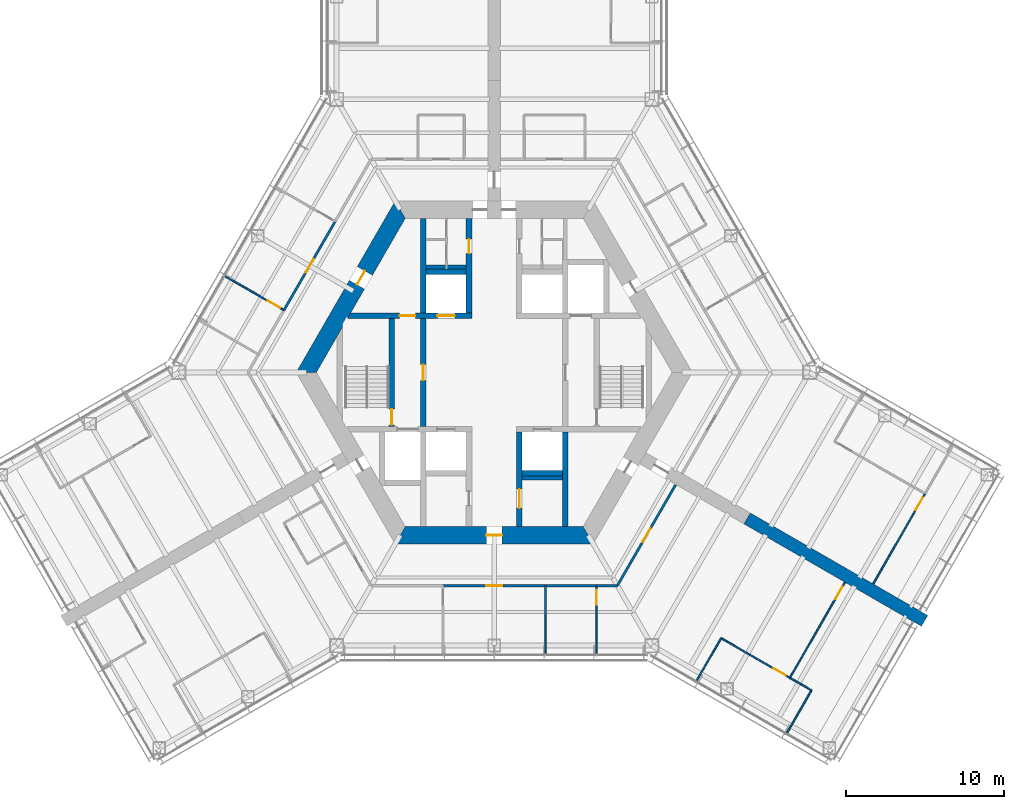
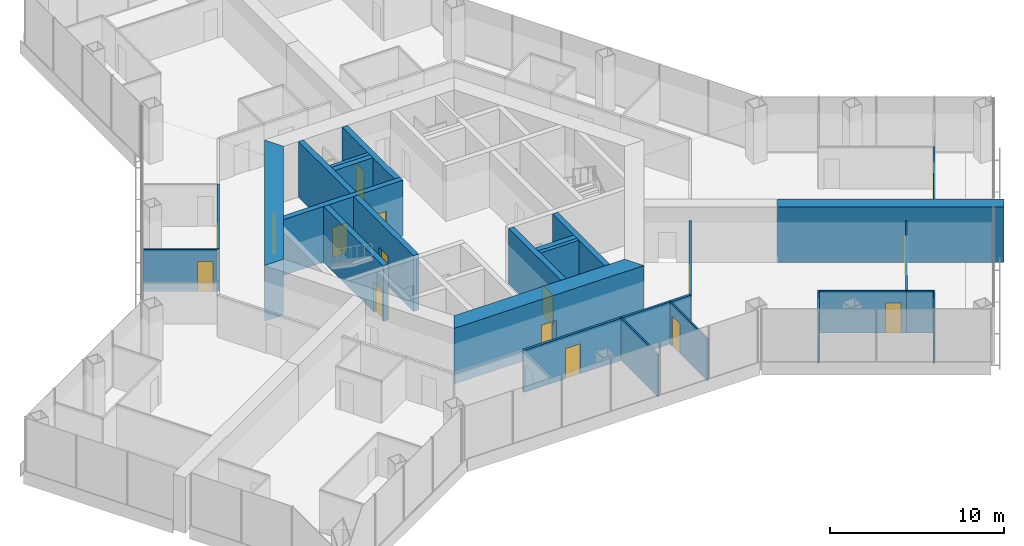
# One storey, part 13 of 18: 28 walls, 16 doors, 16 openings.
"""IFC4 building model written with IfcOpenShell, lengths in metres."""

from ifc_helpers import new_model, si_unit, direction, frame, frame_2d, origin, place, context, subcontext, project, spatial, polyline, rectangle, outline, extrude, material, layer, layer_set, type_object, element, fill, save


model = new_model("IFC4")

# Units and contexts
model_context = context("Model", 3, precision=1e-05, world=origin(), true_north=direction((0.0, 1.0)))
body_context = subcontext(model_context, "Body", "Model", "MODEL_VIEW")
ifc_project = project(units=[si_unit("LENGTHUNIT", "METRE"), si_unit("AREAUNIT", "SQUARE_METRE"), si_unit("VOLUMEUNIT", "CUBIC_METRE"), si_unit("PLANEANGLEUNIT", "RADIAN"), si_unit("MASSUNIT", "GRAM", prefix="KILO")], contexts=[model_context])

# Site, building, storey
site_placement = place(None, origin())
site = spatial("IfcSite", under=ifc_project, at=site_placement, CompositionType="ELEMENT")
building_placement = place(site_placement, origin())
building = spatial("IfcBuilding", under=site, at=building_placement, Name="Kasaneha Research Tower", CompositionType="ELEMENT")
storey_placement = place(building_placement, frame((0.0, 0.0, 115.800048828125)))
storey = spatial("IfcBuildingStorey", under=building, at=storey_placement, Name="L29", CompositionType="ELEMENT", Elevation=115.800048828125)

# Wall, openings, doors
ifc_material_1 = material(Name="Concrete Fc80", Category="concrete")
ifc_layer_1 = layer(ifc_material_1, 0.35009765625)
ifc_layer_set_1 = layer_set([ifc_layer_1], Name="Core internal wall 350 Fc80")
wall_type_1 = type_object("IfcWallType", Name="Core internal wall 350 Fc80", PredefinedType="SHEAR", material=ifc_layer_set_1)
wall_1_placement = place(storey_placement, frame((-9.208740234375, 3.60009765625, 0.0), z_axis=(0.0, 0.0, 1.0), x_axis=(1.0, 0.0, 0.0)))
wall_1 = element("IfcWall", 1, at=wall_1_placement, inside=storey, type_object=wall_type_1, Name="Core wall W1W L29", PredefinedType="SHEAR", context=body_context, shape_type="SweptSolid", body=[
    extrude(outline(polyline([(-0.10107421875, -0.175048828125), (3.208740234375, -0.175048828125), (4.208740234375, -0.175048828125), (5.608642578125, -0.175048828125), (6.708740234375, -0.175048828125), (7.78369140625, -0.175048828125), (7.78369140625, 0.175048828125), (6.708740234375, 0.175048828125), (5.608642578125, 0.175048828125), (4.208740234375, 0.175048828125), (3.208740234375, 0.175048828125), (0.10107421875, 0.175048828125), (-0.10107421875, -0.175048828125)])), origin(), (0.0, 0.0, 1.0), 3.89990234375),
])
opening_1_placement = place(wall_1_placement, frame((3.208740234375, 0.0, 0.0)))
opening_1 = element("IfcOpeningElement", 2, at=opening_1_placement, cuts=wall_1, Name="Opening L29-D12", PredefinedType="OPENING", context=body_context, shape_type="SweptSolid", body=[
    extrude(rectangle(XDim=1.0, YDim=2.10009765625, at=frame_2d((0.5, 1.050048828125))), frame((0.0, 0.18505859375, 0.0), z_axis=(0.0, -1.0, 0.0), x_axis=(1.0, 0.0, 0.0)), (0.0, 0.0, 1.0), 0.3701171875),
])
opening_2_placement = place(wall_1_placement, frame((5.608642578125, 0.0, 0.0)))
opening_2 = element("IfcOpeningElement", 3, at=opening_2_placement, cuts=wall_1, Name="Opening LD-LO1-L29", PredefinedType="OPENING", context=body_context, shape_type="SweptSolid", body=[
    extrude(rectangle(XDim=1.10009765625, YDim=2.10009765625, at=frame_2d((0.550048828125, 1.050048828125))), frame((0.0, 0.18505859375, 0.0), z_axis=(0.0, -1.0, 0.0), x_axis=(1.0, 0.0, 0.0)), (0.0, 0.0, 1.0), 0.3701171875),
])
ifc_material_2 = material(Name="Steel", Category="steel")
door_type_1 = type_object("IfcDoorType", Name="Lift landing door 1100x2100", OperationType="DOUBLE_DOOR_SLIDING", PredefinedType="DOOR", material=ifc_material_2)
door_1_placement = place(opening_2_placement, origin())
door_1 = element("IfcDoor", 4, at=door_1_placement, inside=storey, type_object=door_type_1, Name="Landing door LO1 LD-LO1-L29", OperationType="DOUBLE_DOOR_SLIDING", OverallHeight=2.10009765625, OverallWidth=1.10009765625, PredefinedType="DOOR", context=body_context, shape_type="SweptSolid", body=[
    extrude(rectangle(XDim=1.10009765625, YDim=2.10009765625, at=frame_2d((0.550048828125, 1.050048828125))), frame((0.0, 0.02490234375, 0.0), z_axis=(0.0, -1.0, 0.0), x_axis=(1.0, 0.0, 0.0)), (0.0, 0.0, 1.0), 0.050048828125),
])
fill(opening_2, door_1)
ifc_material_3 = material(Name="Steel", Category="steel")
door_type_2 = type_object("IfcDoorType", Name="Specified fire door FD60 1000x2100", OperationType="NOTDEFINED", PredefinedType="DOOR", material=ifc_material_3)
door_2_placement = place(opening_1_placement, origin())
door_2 = element("IfcDoor", 5, at=door_2_placement, inside=storey, type_object=door_type_2, Name="Vestibule to lobby door L29-D12", OperationType="SINGLE_SWING_RIGHT", OverallHeight=2.10009765625, OverallWidth=1.0, PredefinedType="DOOR", context=body_context, shape_type="SweptSolid", body=[
    extrude(rectangle(XDim=1.0, YDim=2.10009765625, at=frame_2d((0.5, 1.050048828125))), frame((0.0, 0.02490234375, 0.0), z_axis=(0.0, -1.0, 0.0), x_axis=(1.0, 0.0, 0.0)), (0.0, 0.0, 1.0), 0.050048828125),
])
fill(opening_1, door_2)

# Wall, opening, door
wall_2_placement = place(storey_placement, frame((-1.60009765625, 3.77490234375, 0.0), z_axis=(0.0, 0.0, 1.0), x_axis=(0.0, 1.0, 0.0)))
wall_2 = element("IfcWall", 6, at=wall_2_placement, inside=storey, type_object=wall_type_1, Name="Core wall CNW L29", PredefinedType="SHEAR", context=body_context, shape_type="SweptSolid", body=[
    extrude(rectangle(XDim=6.0, YDim=0.35009765625, at=frame_2d((3.0, 0.0))), origin(), (0.0, 0.0, 1.0), 3.89990234375),
])
opening_3_placement = place(wall_2_placement, frame((3.77490234375, 0.0, 0.0)))
opening_3 = element("IfcOpeningElement", 7, at=opening_3_placement, cuts=wall_2, Name="Opening L29-D13", PredefinedType="OPENING", context=body_context, shape_type="SweptSolid", body=[
    extrude(rectangle(XDim=0.89990234375, YDim=2.10009765625, at=frame_2d((0.449951171875, 1.050048828125))), frame((0.0, 0.18505859375, 0.0), z_axis=(0.0, -1.0, 0.0), x_axis=(1.0, 0.0, 0.0)), (0.0, 0.0, 1.0), 0.3701171875),
])
ifc_material_4 = material(Name="Steel", Category="steel")
door_type_3 = type_object("IfcDoorType", Name="Toilet door FD20 900x2100", OperationType="NOTDEFINED", PredefinedType="DOOR", material=ifc_material_4)
door_3_placement = place(opening_3_placement, origin())
door_3 = element("IfcDoor", 8, at=door_3_placement, inside=storey, type_object=door_type_3, Name="Men's WC door L29-D13", OperationType="SINGLE_SWING_LEFT", OverallHeight=2.10009765625, OverallWidth=0.89990234375, PredefinedType="DOOR", context=body_context, shape_type="SweptSolid", body=[
    extrude(rectangle(XDim=0.89990234375, YDim=2.10009765625, at=frame_2d((0.449951171875, 1.050048828125))), frame((0.0, 0.02490234375, 0.0), z_axis=(0.0, -1.0, 0.0), x_axis=(1.0, 0.0, 0.0)), (0.0, 0.0, 1.0), 0.050048828125),
])
fill(opening_3, door_3)

wall_3_placement = place(storey_placement, frame((1.60009765625, -3.77490234375, 0.0), z_axis=(0.0, 0.0, 1.0), x_axis=(0.0, -1.0, 0.0)))
wall_3 = element("IfcWall", 9, at=wall_3_placement, inside=storey, type_object=wall_type_1, Name="Core wall CSE L29", PredefinedType="SHEAR", context=body_context, shape_type="SweptSolid", body=[
    extrude(rectangle(XDim=6.0, YDim=0.35009765625, at=frame_2d((3.0, 0.0))), origin(), (0.0, 0.0, 1.0), 3.89990234375),
])
opening_4_placement = place(wall_3_placement, frame((3.625, 0.0, 0.0)))
opening_4 = element("IfcOpeningElement", 10, at=opening_4_placement, cuts=wall_3, Name="Opening L29-D15", PredefinedType="OPENING", context=body_context, shape_type="SweptSolid", body=[
    extrude(rectangle(XDim=1.199951171875, YDim=2.10009765625, at=frame_2d((0.60009765625, 1.050048828125))), frame((0.0, 0.18505859375, 0.0), z_axis=(0.0, -1.0, 0.0), x_axis=(1.0, 0.0, 0.0)), (0.0, 0.0, 1.0), 0.3701171875),
])
ifc_material_5 = material(Name="Steel", Category="steel")
door_type_4 = type_object("IfcDoorType", Name="Accessible toilet sliding door FD20 1200x2100", OperationType="SLIDING_TO_LEFT", PredefinedType="DOOR", material=ifc_material_5)
door_4_placement = place(opening_4_placement, origin())
door_4 = element("IfcDoor", 11, at=door_4_placement, inside=storey, type_object=door_type_4, Name="Accessible WC door L29-D15", OperationType="SLIDING_TO_LEFT", OverallHeight=2.10009765625, OverallWidth=1.199951171875, PredefinedType="DOOR", context=body_context, shape_type="SweptSolid", body=[
    extrude(rectangle(XDim=1.199951171875, YDim=2.10009765625, at=frame_2d((0.60009765625, 1.050048828125))), frame((0.0, 0.02490234375, 0.0), z_axis=(0.0, -1.0, 0.0), x_axis=(1.0, 0.0, 0.0)), (0.0, 0.0, 1.0), 0.050048828125),
])
fill(opening_4, door_4)

wall_4_placement = place(storey_placement, frame((-4.5, -3.425048828125, 0.0), z_axis=(0.0, 0.0, 1.0), x_axis=(0.0, 1.0, 0.0)))
wall_4 = element("IfcWall", 12, at=wall_4_placement, inside=storey, type_object=wall_type_1, Name="Core wall LBW L29", PredefinedType="SHEAR", context=body_context, shape_type="SweptSolid", body=[
    extrude(rectangle(XDim=6.85009765625, YDim=0.35009765625, at=frame_2d((3.425048828125, 0.0))), origin(), (0.0, 0.0, 1.0), 3.89990234375),
])
opening_5_placement = place(wall_4_placement, frame((2.925048828125, 0.0, 0.0)))
opening_5 = element("IfcOpeningElement", 13, at=opening_5_placement, cuts=wall_4, Name="Opening L29-D09", PredefinedType="OPENING", context=body_context, shape_type="SweptSolid", body=[
    extrude(rectangle(XDim=1.0, YDim=2.10009765625, at=frame_2d((0.5, 1.050048828125))), frame((0.0, 0.18505859375, 0.0), z_axis=(0.0, -1.0, 0.0), x_axis=(1.0, 0.0, 0.0)), (0.0, 0.0, 1.0), 0.3701171875),
])
door_5_placement = place(opening_5_placement, origin())
door_5 = element("IfcDoor", 14, at=door_5_placement, inside=storey, type_object=door_type_2, Name="Lift lobby door west L29-D09", OperationType="SINGLE_SWING_LEFT", OverallHeight=2.10009765625, OverallWidth=1.0, PredefinedType="DOOR", context=body_context, shape_type="SweptSolid", body=[
    extrude(rectangle(XDim=1.0, YDim=2.10009765625, at=frame_2d((0.5, 1.050048828125))), frame((0.0, 0.02490234375, 0.0), z_axis=(0.0, -1.0, 0.0), x_axis=(1.0, 0.0, 0.0)), (0.0, 0.0, 1.0), 0.050048828125),
])
fill(opening_5, door_5)

wall_5_placement = place(storey_placement, frame((-6.5, -3.425048828125, 0.0), z_axis=(0.0, 0.0, 1.0), x_axis=(0.0, 1.0, 0.0)))
wall_5 = element("IfcWall", 15, at=wall_5_placement, inside=storey, type_object=wall_type_1, Name="Core wall ANW L29", PredefinedType="SHEAR", context=body_context, shape_type="SweptSolid", body=[
    extrude(rectangle(XDim=6.85009765625, YDim=0.35009765625, at=frame_2d((3.425048828125, 0.0))), origin(), (0.0, 0.0, 1.0), 3.89990234375),
])
opening_6_placement = place(wall_5_placement, frame((0.10009765625, 0.0, 0.0)))
opening_6 = element("IfcOpeningElement", 16, at=opening_6_placement, cuts=wall_5, Name="Opening L29-D11", PredefinedType="OPENING", context=body_context, shape_type="SweptSolid", body=[
    extrude(rectangle(XDim=1.0, YDim=2.10009765625, at=frame_2d((0.5, 1.050048828125))), frame((0.0, 0.18505859375, 0.0), z_axis=(0.0, -1.0, 0.0), x_axis=(1.0, 0.0, 0.0)), (0.0, 0.0, 1.0), 0.3701171875),
])
door_6_placement = place(opening_6_placement, origin())
door_6 = element("IfcDoor", 17, at=door_6_placement, inside=storey, type_object=door_type_2, Name="Stair 2 door L29-D11", OperationType="SINGLE_SWING_LEFT", OverallHeight=2.10009765625, OverallWidth=1.0, PredefinedType="DOOR", context=body_context, shape_type="SweptSolid", body=[
    extrude(rectangle(XDim=1.0, YDim=2.10009765625, at=frame_2d((0.5, 1.050048828125))), frame((0.0, 0.02490234375, 0.0), z_axis=(0.0, -1.0, 0.0), x_axis=(1.0, 0.0, 0.0)), (0.0, 0.0, 1.0), 0.050048828125),
])
fill(opening_6, door_6)

# Walls
for number, where, z_axis, x_axis, name in (
    (18, (-4.5, 3.77490234375, 0.0), (0.0, 0.0, 1.0), (0.0, 1.0, 0.0), "Core wall VNW L29"),
    (19, (4.5, -3.77490234375, 0.0), (0.0, 0.0, 1.0), (0.0, -1.0, 0.0), "Core wall SSE L29"),
):
    element("IfcWall", number, at=place(storey_placement, frame(where, z_axis=z_axis, x_axis=x_axis)), inside=storey, type_object=wall_type_1, Name=name, PredefinedType="SHEAR", context=body_context, shape_type="SweptSolid", body=[
        extrude(rectangle(XDim=6.0, YDim=0.35009765625, at=frame_2d((3.0, 0.0))), origin(), (0.0, 0.0, 1.0), 3.89990234375),
    ])
for number, where, z_axis, x_axis, name in (
    (20, (-4.324951171875, 6.39990234375, 0.0), (0.0, 0.0, 1.0), (1.0, 0.0, 0.0), "Core wall N1N L29"),
    (21, (1.77490234375, -6.39990234375, 0.0), (0.0, 0.0, 1.0), (1.0, 0.0, 0.0), "Core wall S3S L29"),
):
    element("IfcWall", number, at=place(storey_placement, frame(where, z_axis=z_axis, x_axis=x_axis)), inside=storey, type_object=wall_type_1, Name=name, PredefinedType="SHEAR", context=body_context, shape_type="SweptSolid", body=[
        extrude(rectangle(XDim=2.550048828125, YDim=0.35009765625, at=frame_2d((1.27490234375, 0.0))), origin(), (0.0, 0.0, 1.0), 3.89990234375),
    ])

# Wall, opening, door
ifc_material_6 = material(Name="Concrete Fc80", Category="concrete")
ifc_layer_2 = layer(ifc_material_6, 1.10009765625)
ifc_layer_set_2 = layer_set([ifc_layer_2], Name="Core wall 1100 Fc80")
wall_type_2 = type_object("IfcWallType", Name="Core wall 1100 Fc80", PredefinedType="SHEAR", material=ifc_layer_set_2)
wall_6_placement = place(storey_placement, frame((-5.961181640625, 10.324951171875, 0.0), z_axis=(0.0, 0.0, 1.0), x_axis=(-0.500004296715, -0.866022923061, 0.0)))
wall_6 = element("IfcWall", 22, at=wall_6_placement, inside=storey, type_object=wall_type_2, Name="Core wall 150 L29", PredefinedType="SHEAR", context=body_context, shape_type="SweptSolid", body=[
    extrude(outline(polyline([(-0.317626953125, -0.550048828125), (4.494140625, -0.550048828125), (5.494140625, -0.550048828125), (12.239990234375, -0.550048828125), (11.604736328125, 0.550048828125), (5.494140625, 0.550048828125), (4.494140625, 0.550048828125), (0.317626953125, 0.550048828125), (-0.317626953125, -0.550048828125)])), origin(), (0.0, 0.0, 1.0), 3.89990234375),
])
opening_7_placement = place(wall_6_placement, frame((4.494140625, 0.0, 0.0)))
opening_7 = element("IfcOpeningElement", 23, at=opening_7_placement, cuts=wall_6, Name="Opening L29-D07", PredefinedType="OPENING", context=body_context, shape_type="SweptSolid", body=[
    extrude(rectangle(XDim=1.0, YDim=2.10009765625, at=frame_2d((0.5, 1.050048828125))), frame((0.0, 0.56005859375, 0.0), z_axis=(0.0, -1.0, 0.0), x_axis=(1.0, 0.0, 0.0)), (0.0, 0.0, 1.0), 1.1201171875),
])
ifc_material_7 = material(Name="Steel", Category="steel")
door_type_5 = type_object("IfcDoorType", Name="Fire door FD20 1000x2100", OperationType="NOTDEFINED", PredefinedType="DOOR", material=ifc_material_7)
door_7_placement = place(opening_7_placement, origin())
door_7 = element("IfcDoor", 24, at=door_7_placement, inside=storey, type_object=door_type_5, Name="Vestibule door L29-D07", OperationType="SINGLE_SWING_LEFT", OverallHeight=2.10009765625, OverallWidth=1.0, PredefinedType="DOOR", context=body_context, shape_type="SweptSolid", body=[
    extrude(rectangle(XDim=1.0, YDim=2.10009765625, at=frame_2d((0.5, 1.050048828125))), frame((0.0, 0.02490234375, 0.0), z_axis=(0.0, -1.0, 0.0), x_axis=(1.0, 0.0, 0.0)), (0.0, 0.0, 1.0), 0.050048828125),
])
fill(opening_7, door_7)

wall_7_placement = place(storey_placement, frame((-5.961181640625, -10.324951171875, 0.0), z_axis=(0.0, 0.0, 1.0), x_axis=(1.0, 0.0, 0.0)))
wall_7 = element("IfcWall", 25, at=wall_7_placement, inside=storey, type_object=wall_type_2, Name="Core wall 270 L29", PredefinedType="SHEAR", context=body_context, shape_type="SweptSolid", body=[
    extrude(outline(polyline([(-0.317626953125, -0.550048828125), (5.461181640625, -0.550048828125), (6.461181640625, -0.550048828125), (12.239990234375, -0.550048828125), (11.604736328125, 0.550048828125), (6.461181640625, 0.550048828125), (5.461181640625, 0.550048828125), (0.317626953125, 0.550048828125), (-0.317626953125, -0.550048828125)])), origin(), (0.0, 0.0, 1.0), 3.89990234375),
])
opening_8_placement = place(wall_7_placement, frame((5.461181640625, 0.0, 0.0)))
opening_8 = element("IfcOpeningElement", 26, at=opening_8_placement, cuts=wall_7, Name="Opening L29-D03", PredefinedType="OPENING", context=body_context, shape_type="SweptSolid", body=[
    extrude(rectangle(XDim=1.0, YDim=2.10009765625, at=frame_2d((0.5, 1.050048828125))), frame((0.0, 0.56005859375, 0.0), z_axis=(0.0, -1.0, 0.0), x_axis=(1.0, 0.0, 0.0)), (0.0, 0.0, 1.0), 1.1201171875),
])
door_8_placement = place(opening_8_placement, origin())
door_8 = element("IfcDoor", 27, at=door_8_placement, inside=storey, type_object=door_type_5, Name="Core door south L29-D03", OperationType="SINGLE_SWING_LEFT", OverallHeight=2.10009765625, OverallWidth=1.0, PredefinedType="DOOR", context=body_context, shape_type="SweptSolid", body=[
    extrude(rectangle(XDim=1.0, YDim=2.10009765625, at=frame_2d((0.5, 1.050048828125))), frame((0.0, 0.02490234375, 0.0), z_axis=(0.0, -1.0, 0.0), x_axis=(1.0, 0.0, 0.0)), (0.0, 0.0, 1.0), 0.050048828125),
])
fill(opening_8, door_8)

ifc_material_8 = material(Name="Gypsum board on steel studs, one layer each side", Category="steel")
ifc_layer_3 = layer(ifc_material_8, 0.10009765625)
ifc_layer_set_3 = layer_set([ifc_layer_3], Name="Office partition 100")
wall_type_3 = type_object("IfcWallType", Name="Office partition 100", PredefinedType="PARTITIONING", material=ifc_layer_set_3)
wall_8_placement = place(storey_placement, frame((-17.05615234375, 6.098876953125, 0.0), z_axis=(0.0, 0.0, 1.0), x_axis=(0.865505397626, -0.500899597405, 0.0)))
wall_8 = element("IfcWall", 28, at=wall_8_placement, inside=storey, type_object=wall_type_3, Name="Office partition FBN11 L29", PredefinedType="PARTITIONING", context=body_context, shape_type="SweptSolid", body=[
    extrude(rectangle(XDim=4.29541015625, YDim=0.10009765625, at=frame_2d((2.147705078125, 0.0))), origin(), (0.0, 0.0, 1.0), 2.949951171875),
])
opening_9_placement = place(wall_8_placement, frame((3.095458984375, 0.0, 0.0)))
opening_9 = element("IfcOpeningElement", 29, at=opening_9_placement, cuts=wall_8, Name="Opening L29-D38", PredefinedType="OPENING", context=body_context, shape_type="SweptSolid", body=[
    extrude(rectangle(XDim=0.89990234375, YDim=2.10009765625, at=frame_2d((0.449951171875, 1.050048828125))), frame((0.0, 0.06005859375, 0.0), z_axis=(0.0, -1.0, 0.0), x_axis=(1.0, 0.0, 0.0)), (0.0, 0.0, 1.0), 0.1201171875),
])
ifc_material_9 = material(Name="Timber veneer", Category="wood")
door_type_6 = type_object("IfcDoorType", Name="Office door 900x2100", OperationType="SINGLE_SWING_LEFT", PredefinedType="DOOR", material=ifc_material_9)
door_9_placement = place(opening_9_placement, origin())
door_9 = element("IfcDoor", 30, at=door_9_placement, inside=storey, type_object=door_type_6, Name="Manager's office door L29-D38", OperationType="SINGLE_SWING_RIGHT", OverallHeight=2.10009765625, OverallWidth=0.89990234375, PredefinedType="DOOR", context=body_context, shape_type="SweptSolid", body=[
    extrude(rectangle(XDim=0.89990234375, YDim=2.10009765625, at=frame_2d((0.449951171875, 1.050048828125))), frame((0.0, 0.02490234375, 0.0), z_axis=(0.0, -1.0, 0.0), x_axis=(1.0, 0.0, 0.0)), (0.0, 0.0, 1.0), 0.050048828125),
])
fill(opening_9, door_9)

wall_9_placement = place(storey_placement, frame((24.04345703125, -13.396484375, 0.0), z_axis=(0.0, 0.0, 1.0), x_axis=(0.498632747728, 0.866813349512, 0.0)))
wall_9 = element("IfcWall", 31, at=wall_9_placement, inside=storey, type_object=wall_type_3, Name="Office partition FCE05 L29", PredefinedType="PARTITIONING", context=body_context, shape_type="SweptSolid", body=[
    extrude(rectangle(XDim=6.583984375, YDim=0.10009765625, at=frame_2d((3.2919921875, 0.0))), origin(), (0.0, 0.0, 1.0), 2.949951171875),
])
opening_10_placement = place(wall_9_placement, frame((5.3837890625, 0.0, 0.0)))
opening_10 = element("IfcOpeningElement", 32, at=opening_10_placement, cuts=wall_9, Name="Opening L29-D46", PredefinedType="OPENING", context=body_context, shape_type="SweptSolid", body=[
    extrude(rectangle(XDim=0.89990234375, YDim=2.10009765625, at=frame_2d((0.449951171875, 1.050048828125))), frame((0.0, 0.06005859375, 0.0), z_axis=(0.0, -1.0, 0.0), x_axis=(1.0, 0.0, 0.0)), (0.0, 0.0, 1.0), 0.1201171875),
])
door_10_placement = place(opening_10_placement, origin())
door_10 = element("IfcDoor", 33, at=door_10_placement, inside=storey, type_object=door_type_6, Name="Manager's office door L29-D46", OperationType="SINGLE_SWING_RIGHT", OverallHeight=2.10009765625, OverallWidth=0.89990234375, PredefinedType="DOOR", context=body_context, shape_type="SweptSolid", body=[
    extrude(rectangle(XDim=0.89990234375, YDim=2.10009765625, at=frame_2d((0.449951171875, 1.050048828125))), frame((0.0, 0.02490234375, 0.0), z_axis=(0.0, -1.0, 0.0), x_axis=(1.0, 0.0, 0.0)), (0.0, 0.0, 1.0), 0.050048828125),
])
fill(opening_10, door_10)

# Walls
wall_10_placement = place(storey_placement, frame((18.5751953125, -22.848876953125, 0.0), z_axis=(0.0, 0.0, 1.0), x_axis=(0.499899694197, 0.866083307622, 0.0)))
element("IfcWall", 34, at=wall_10_placement, inside=storey, type_object=wall_type_3, Name="Office partition FCS06 L29", PredefinedType="PARTITIONING", context=body_context, shape_type="SweptSolid", body=[
    extrude(rectangle(XDim=3.100341796875, YDim=0.10009765625, at=frame_2d((1.55029296875, 0.0))), origin(), (0.0, 0.0, 1.0), 2.949951171875),
])
wall_11_placement = place(storey_placement, frame((20.125, -20.163818359375, 0.0), z_axis=(0.0, 0.0, 1.0), x_axis=(-0.864479275947, 0.502668460775, 0.0)))
element("IfcWall", 35, at=wall_11_placement, inside=storey, type_object=wall_type_3, Name="Office partition FCS07 L29", PredefinedType="PARTITIONING", context=body_context, shape_type="SweptSolid", body=[
    extrude(rectangle(XDim=1.591064453125, YDim=0.10009765625, at=frame_2d((0.79541015625, 0.0))), origin(), (0.0, 0.0, 1.0), 2.949951171875),
])

# Wall, opening, door
wall_12_placement = place(storey_placement, frame((18.75146484375, -19.37060546875, 0.0), z_axis=(0.0, 0.0, 1.0), x_axis=(0.499495327337, 0.866316580684, 0.0)))
wall_12 = element("IfcWall", 36, at=wall_12_placement, inside=storey, type_object=wall_type_3, Name="Office partition FCS08 L29", PredefinedType="PARTITIONING", context=body_context, shape_type="SweptSolid", body=[
    extrude(rectangle(XDim=6.979736328125, YDim=0.10009765625, at=frame_2d((3.48974609375, 0.0))), origin(), (0.0, 0.0, 1.0), 2.949951171875),
])
opening_11_placement = place(wall_12_placement, frame((5.779541015625, 0.0, 0.0)))
opening_11 = element("IfcOpeningElement", 37, at=opening_11_placement, cuts=wall_12, Name="Opening L29-D49", PredefinedType="OPENING", context=body_context, shape_type="SweptSolid", body=[
    extrude(rectangle(XDim=0.89990234375, YDim=2.10009765625, at=frame_2d((0.449951171875, 1.050048828125))), frame((0.0, 0.06005859375, 0.0), z_axis=(0.0, -1.0, 0.0), x_axis=(1.0, 0.0, 0.0)), (0.0, 0.0, 1.0), 0.1201171875),
])
door_11_placement = place(opening_11_placement, origin())
door_11 = element("IfcDoor", 38, at=door_11_placement, inside=storey, type_object=door_type_6, Name="Meeting room door L29-D49", OperationType="SINGLE_SWING_RIGHT", OverallHeight=2.10009765625, OverallWidth=0.89990234375, PredefinedType="DOOR", context=body_context, shape_type="SweptSolid", body=[
    extrude(rectangle(XDim=0.89990234375, YDim=2.10009765625, at=frame_2d((0.449951171875, 1.050048828125))), frame((0.0, 0.02490234375, 0.0), z_axis=(0.0, -1.0, 0.0), x_axis=(1.0, 0.0, 0.0)), (0.0, 0.0, 1.0), 0.050048828125),
])
fill(opening_11, door_11)

wall_13_placement = place(storey_placement, frame((6.48828125, -13.52490234375, 0.0), z_axis=(0.0, 0.0, 1.0), x_axis=(0.00107362768, -0.999999423662, 0.0)))
wall_13 = element("IfcWall", 39, at=wall_13_placement, inside=storey, type_object=wall_type_3, Name="Office partition FCS09 L29", PredefinedType="PARTITIONING", context=body_context, shape_type="SweptSolid", body=[
    extrude(rectangle(XDim=4.320556640625, YDim=0.10009765625, at=frame_2d((2.16015625, 0.0))), origin(), (0.0, 0.0, 1.0), 2.949951171875),
])
opening_12_placement = place(wall_13_placement, frame((0.300048828125, 0.0, 0.0)))
opening_12 = element("IfcOpeningElement", 40, at=opening_12_placement, cuts=wall_13, Name="Opening L29-D50", PredefinedType="OPENING", context=body_context, shape_type="SweptSolid", body=[
    extrude(rectangle(XDim=0.89990234375, YDim=2.10009765625, at=frame_2d((0.449951171875, 1.050048828125))), frame((0.0, 0.06005859375, 0.0), z_axis=(0.0, -1.0, 0.0), x_axis=(1.0, 0.0, 0.0)), (0.0, 0.0, 1.0), 0.1201171875),
])
door_12_placement = place(opening_12_placement, origin())
door_12 = element("IfcDoor", 41, at=door_12_placement, inside=storey, type_object=door_type_6, Name="Interview room door L29-D50", OperationType="SINGLE_SWING_LEFT", OverallHeight=2.10009765625, OverallWidth=0.89990234375, PredefinedType="DOOR", context=body_context, shape_type="SweptSolid", body=[
    extrude(rectangle(XDim=0.89990234375, YDim=2.10009765625, at=frame_2d((0.449951171875, 1.050048828125))), frame((0.0, 0.02490234375, 0.0), z_axis=(0.0, -1.0, 0.0), x_axis=(1.0, 0.0, 0.0)), (0.0, 0.0, 1.0), 0.050048828125),
])
fill(opening_12, door_12)

# Walls
wall_14_placement = place(storey_placement, frame((3.246337890625, -17.800537109375, 0.0), z_axis=(0.0, 0.0, 1.0), x_axis=(0.001084907715, 0.999999411487, 0.0)))
element("IfcWall", 42, at=wall_14_placement, inside=storey, type_object=wall_type_3, Name="Office partition FCS10 L29", PredefinedType="PARTITIONING", context=body_context, shape_type="SweptSolid", body=[
    extrude(rectangle(XDim=4.275634765625, YDim=0.10009765625, at=frame_2d((2.1376953125, 0.0))), origin(), (0.0, 0.0, 1.0), 2.949951171875),
])
wall_15_placement = place(storey_placement, frame((12.84228515625, -19.538818359375, 0.0), z_axis=(0.0, 0.0, 1.0), x_axis=(0.499933790963, 0.866063626216, 0.0)))
element("IfcWall", 43, at=wall_15_placement, inside=storey, type_object=wall_type_3, Name="Office partition FCS12 L29", PredefinedType="PARTITIONING", context=body_context, shape_type="SweptSolid", body=[
    extrude(rectangle(XDim=3.10009765625, YDim=0.10009765625, at=frame_2d((1.550048828125, 0.0))), origin(), (0.0, 0.0, 1.0), 2.949951171875),
])

# Wall, opening, door
wall_16_placement = place(storey_placement, frame((14.39208984375, -16.85400390625, 0.0), z_axis=(0.0, 0.0, 1.0), x_axis=(0.86601677289, -0.50001494885, 0.0)))
wall_16 = element("IfcWall", 44, at=wall_16_placement, inside=storey, type_object=wall_type_3, Name="Office partition FCS13 L29", PredefinedType="PARTITIONING", context=body_context, shape_type="SweptSolid", body=[
    extrude(rectangle(XDim=5.033447265625, YDim=0.10009765625, at=frame_2d((2.5166015625, 0.0))), origin(), (0.0, 0.0, 1.0), 2.949951171875),
])
opening_13_placement = place(wall_16_placement, frame((3.83349609375, 0.0, 0.0)))
opening_13 = element("IfcOpeningElement", 45, at=opening_13_placement, cuts=wall_16, Name="Opening L29-D52", PredefinedType="OPENING", context=body_context, shape_type="SweptSolid", body=[
    extrude(rectangle(XDim=0.89990234375, YDim=2.10009765625, at=frame_2d((0.449951171875, 1.050048828125))), frame((0.0, 0.06005859375, 0.0), z_axis=(0.0, -1.0, 0.0), x_axis=(1.0, 0.0, 0.0)), (0.0, 0.0, 1.0), 0.1201171875),
])
door_13_placement = place(opening_13_placement, origin())
door_13 = element("IfcDoor", 46, at=door_13_placement, inside=storey, type_object=door_type_6, Name="Manager's office door L29-D52", OperationType="SINGLE_SWING_RIGHT", OverallHeight=2.10009765625, OverallWidth=0.89990234375, PredefinedType="DOOR", context=body_context, shape_type="SweptSolid", body=[
    extrude(rectangle(XDim=0.89990234375, YDim=2.10009765625, at=frame_2d((0.449951171875, 1.050048828125))), frame((0.0, 0.02490234375, 0.0), z_axis=(0.0, -1.0, 0.0), x_axis=(1.0, 0.0, 0.0)), (0.0, 0.0, 1.0), 0.050048828125),
])
fill(opening_13, door_13)

# Wall
ifc_material_10 = material(Name="Concrete Fc80", Category="concrete")
ifc_layer_4 = layer(ifc_material_10, 0.800048828125)
ifc_layer_set_4 = layer_set([ifc_layer_4], Name="Spine wall 800 Fc80")
wall_type_4 = type_object("IfcWallType", Name="Spine wall 800 Fc80", PredefinedType="SHEAR", material=ifc_layer_set_4)
wall_17_placement = place(storey_placement, frame((16.039306640625, -9.26025390625, 0.0), z_axis=(0.0, 0.0, 1.0), x_axis=(0.866024837091, -0.50000098154, 0.0)))
element("IfcWall", 47, at=wall_17_placement, inside=storey, type_object=wall_type_4, Name="Spine wall C wing L29", PredefinedType="SHEAR", context=body_context, shape_type="SweptSolid", body=[
    extrude(rectangle(XDim=13.0, YDim=0.800048828125, at=frame_2d((6.5, 0.0))), origin(), (0.0, 0.0, 1.0), 3.89990234375),
])

# Wall, opening, door
ifc_material_11 = material(Name="Gypsum board on steel studs, two layers each side", Category="steel")
ifc_layer_5 = layer(ifc_material_11, 0.14990234375)
ifc_layer_set_5 = layer_set([ifc_layer_5], Name="Suite partition 150")
wall_type_5 = type_object("IfcWallType", Name="Suite partition 150", PredefinedType="PARTITIONING", material=ifc_layer_set_5)
wall_18_placement = place(storey_placement, frame((-13.33837890625, 3.947265625, 0.0), z_axis=(0.0, 0.0, 1.0), x_axis=(0.49998791073, 0.866032383415, 0.0)))
wall_18 = element("IfcWall", 48, at=wall_18_placement, inside=storey, type_object=wall_type_5, Name="Suite partition FBN05 L29", PredefinedType="PARTITIONING", context=body_context, shape_type="SweptSolid", body=[
    extrude(rectangle(XDim=6.501708984375, YDim=0.14990234375, at=frame_2d((3.2509765625, 0.0))), origin(), (0.0, 0.0, 1.0), 2.949951171875),
])
opening_14_placement = place(wall_18_placement, frame((2.750732421875, 0.0, 0.0)))
opening_14 = element("IfcOpeningElement", 49, at=opening_14_placement, cuts=wall_18, Name="Opening L29-D35", PredefinedType="OPENING", context=body_context, shape_type="SweptSolid", body=[
    extrude(rectangle(XDim=1.0, YDim=2.10009765625, at=frame_2d((0.5, 1.050048828125))), frame((0.0, 0.0849609375, 0.0), z_axis=(0.0, -1.0, 0.0), x_axis=(1.0, 0.0, 0.0)), (0.0, 0.0, 1.0), 0.169921875),
])
ifc_material_12 = material(Name="Steel", Category="steel")
door_type_7 = type_object("IfcDoorType", Name="Suite entrance door FD60 1000x2100", OperationType="NOTDEFINED", PredefinedType="DOOR", material=ifc_material_12)
door_14_placement = place(opening_14_placement, origin())
door_14 = element("IfcDoor", 50, at=door_14_placement, inside=storey, type_object=door_type_7, Name="Suite entrance door L29-D35", OperationType="SINGLE_SWING_RIGHT", OverallHeight=2.10009765625, OverallWidth=1.0, PredefinedType="DOOR", context=body_context, shape_type="SweptSolid", body=[
    extrude(rectangle(XDim=1.0, YDim=2.10009765625, at=frame_2d((0.5, 1.050048828125))), frame((0.0, 0.02490234375, 0.0), z_axis=(0.0, -1.0, 0.0), x_axis=(1.0, 0.0, 0.0)), (0.0, 0.0, 1.0), 0.050048828125),
])
fill(opening_14, door_14)

# Walls
wall_19_placement = place(storey_placement, frame((6.497802734375, -13.52490234375, 0.0), z_axis=(0.0, 0.0, 1.0), x_axis=(-1.0, 0.0, 0.0)))
element("IfcWall", 51, at=wall_19_placement, inside=storey, type_object=wall_type_5, Name="Suite partition FCS01 L29", PredefinedType="PARTITIONING", context=body_context, shape_type="SweptSolid", body=[
    extrude(rectangle(XDim=3.25634765625, YDim=0.14990234375, at=frame_2d((1.628173828125, 0.0))), origin(), (0.0, 0.0, 1.0), 2.949951171875),
])
wall_20_placement = place(storey_placement, frame((7.80859375, -13.52490234375, 0.0), z_axis=(0.0, 0.0, 1.0), x_axis=(-1.0, 0.0, 0.0)))
element("IfcWall", 52, at=wall_20_placement, inside=storey, type_object=wall_type_5, Name="Suite partition FCS03 L29", PredefinedType="PARTITIONING", context=body_context, shape_type="SweptSolid", body=[
    extrude(rectangle(XDim=1.3203125, YDim=0.14990234375, at=frame_2d((0.66015625, 0.0))), origin(), (0.0, 0.0, 1.0), 2.949951171875),
])

# Wall, opening, door
wall_21_placement = place(storey_placement, frame((11.5029296875, -7.126220703125, 0.0), z_axis=(0.0, 0.0, 1.0), x_axis=(-0.500005620463, -0.866022158784, 0.0)))
wall_21 = element("IfcWall", 53, at=wall_21_placement, inside=storey, type_object=wall_type_5, Name="Suite partition FCS04 L29", PredefinedType="PARTITIONING", context=body_context, shape_type="SweptSolid", body=[
    extrude(rectangle(XDim=7.388671875, YDim=0.14990234375, at=frame_2d((3.6943359375, 0.0))), origin(), (0.0, 0.0, 1.0), 2.949951171875),
])
opening_15_placement = place(wall_21_placement, frame((3.1943359375, 0.0, 0.0)))
opening_15 = element("IfcOpeningElement", 54, at=opening_15_placement, cuts=wall_21, Name="Opening L29-D47", PredefinedType="OPENING", context=body_context, shape_type="SweptSolid", body=[
    extrude(rectangle(XDim=1.0, YDim=2.10009765625, at=frame_2d((0.5, 1.050048828125))), frame((0.0, 0.0849609375, 0.0), z_axis=(0.0, -1.0, 0.0), x_axis=(1.0, 0.0, 0.0)), (0.0, 0.0, 1.0), 0.169921875),
])
door_15_placement = place(opening_15_placement, origin())
door_15 = element("IfcDoor", 55, at=door_15_placement, inside=storey, type_object=door_type_7, Name="Suite entrance door L29-D47", OperationType="SINGLE_SWING_LEFT", OverallHeight=2.10009765625, OverallWidth=1.0, PredefinedType="DOOR", context=body_context, shape_type="SweptSolid", body=[
    extrude(rectangle(XDim=1.0, YDim=2.10009765625, at=frame_2d((0.5, 1.050048828125))), frame((0.0, 0.02490234375, 0.0), z_axis=(0.0, -1.0, 0.0), x_axis=(1.0, 0.0, 0.0)), (0.0, 0.0, 1.0), 0.050048828125),
])
fill(opening_15, door_15)

wall_22_placement = place(storey_placement, frame((3.2509765625, -13.52490234375, 0.0), z_axis=(0.0, 0.0, 1.0), x_axis=(-1.0, 0.0, 0.0)))
wall_22 = element("IfcWall", 56, at=wall_22_placement, inside=storey, type_object=wall_type_5, Name="Suite partition FCS05 L29", PredefinedType="PARTITIONING", context=body_context, shape_type="SweptSolid", body=[
    extrude(rectangle(XDim=6.501953125, YDim=0.14990234375, at=frame_2d((3.2509765625, 0.0))), origin(), (0.0, 0.0, 1.0), 2.949951171875),
])
opening_16_placement = place(wall_22_placement, frame((2.7509765625, 0.0, 0.0)))
opening_16 = element("IfcOpeningElement", 57, at=opening_16_placement, cuts=wall_22, Name="Opening L29-D48", PredefinedType="OPENING", context=body_context, shape_type="SweptSolid", body=[
    extrude(rectangle(XDim=1.0, YDim=2.10009765625, at=frame_2d((0.5, 1.050048828125))), frame((0.0, 0.0849609375, 0.0), z_axis=(0.0, -1.0, 0.0), x_axis=(1.0, 0.0, 0.0)), (0.0, 0.0, 1.0), 0.169921875),
])
door_16_placement = place(opening_16_placement, origin())
door_16 = element("IfcDoor", 58, at=door_16_placement, inside=storey, type_object=door_type_7, Name="Suite entrance door L29-D48", OperationType="SINGLE_SWING_LEFT", OverallHeight=2.10009765625, OverallWidth=1.0, PredefinedType="DOOR", context=body_context, shape_type="SweptSolid", body=[
    extrude(rectangle(XDim=1.0, YDim=2.10009765625, at=frame_2d((0.5, 1.050048828125))), frame((0.0, 0.02490234375, 0.0), z_axis=(0.0, -1.0, 0.0), x_axis=(1.0, 0.0, 0.0)), (0.0, 0.0, 1.0), 0.050048828125),
])
fill(opening_16, door_16)

# Walls
ifc_material_13 = material(Name="Concrete block lining", Category="concrete")
ifc_layer_6 = layer(ifc_material_13, 0.25)
ifc_layer_set_6 = layer_set([ifc_layer_6], Name="WC plumbing wall 250")
wall_type_6 = type_object("IfcWallType", Name="WC plumbing wall 250", PredefinedType="PLUMBINGWALL", material=ifc_layer_set_6)
for number, where, z_axis, x_axis, name in (
    (59, (-4.324951171875, 6.699951171875, 0.0), (0.0, 0.0, 1.0), (1.0, 0.0, 0.0), "WC plumbing wall M L29"),
    (60, (1.77490234375, -6.699951171875, 0.0), (0.0, 0.0, 1.0), (1.0, 0.0, 0.0), "WC plumbing wall A L29"),
):
    element("IfcWall", number, at=place(storey_placement, frame(where, z_axis=z_axis, x_axis=x_axis)), inside=storey, type_object=wall_type_6, Name=name, PredefinedType="PLUMBINGWALL", context=body_context, shape_type="SweptSolid", body=[
        extrude(rectangle(XDim=2.550048828125, YDim=0.25, at=frame_2d((1.27490234375, 0.0))), origin(), (0.0, 0.0, 1.0), 3.89990234375),
    ])

save(model, "model.ifc")
